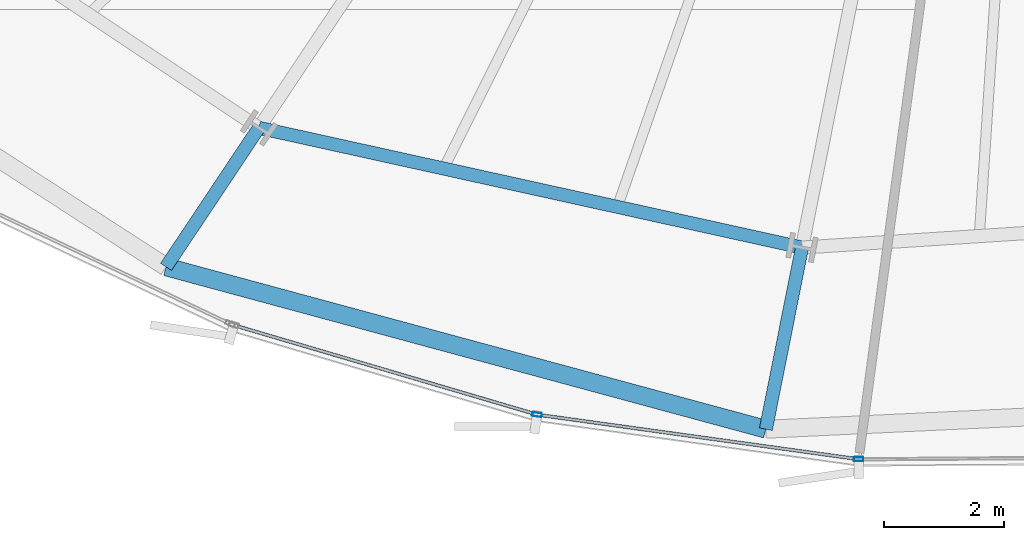
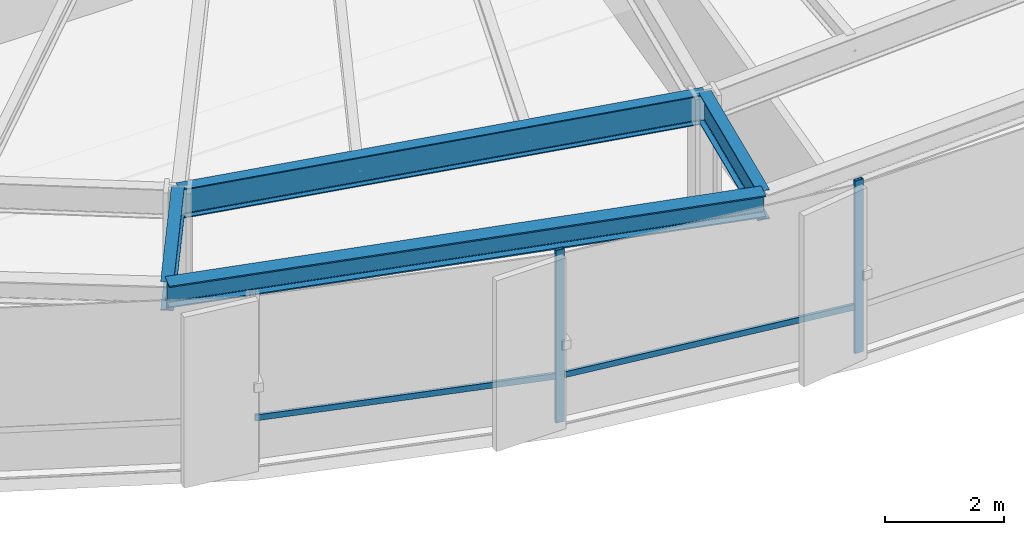
# One storey, part 5 of 37: 4 beams, 4 members, 1 element without a shape of its own.
"""IFC4 building model written with IfcOpenShell, lengths in metres."""

from ifc_helpers import new_model, si_unit, direction, frame, origin, origin_2d, place, context, subcontext, project, spatial, hollow_rectangle, i_section, extrude, source, transform, mapped, material, layer, layer_set, material_profile, profile_set, type_object, element, aggregate, save


model = new_model("IFC4")

# Units and contexts
model_context = context("Model", 3, precision=1e-05, world=origin(), true_north=direction((0.0, 1.0)))
body_context = subcontext(model_context, "Body", "Model", "MODEL_VIEW")
ifc_project = project(units=[si_unit("LENGTHUNIT", "METRE"), si_unit("AREAUNIT", "SQUARE_METRE"), si_unit("VOLUMEUNIT", "CUBIC_METRE"), si_unit("PLANEANGLEUNIT", "RADIAN"), si_unit("MASSUNIT", "GRAM", prefix="KILO"), si_unit("THERMODYNAMICTEMPERATUREUNIT", "KELVIN")], contexts=[model_context])

# Site, building, storey
site_placement = place(None, origin())
site = spatial("IfcSite", under=ifc_project, at=site_placement, CompositionType="ELEMENT")
building_placement = place(site_placement, origin())
building = spatial("IfcBuilding", under=site, at=building_placement, Name="Kethvar Cultural Tower", CompositionType="ELEMENT")
storey_placement = place(building_placement, frame((0.0, 0.0, 48.60009765625)))
storey = spatial("IfcBuildingStorey", under=building, at=storey_placement, Name="L11", CompositionType="ELEMENT", Elevation=48.60009765625)

# Beams
ifc_material_1 = material(Name="Steel S355J2", Category="steel")
ifc_material_profile_1 = material_profile(ifc_material_1, i_section(OverallWidth=0.219970703125, OverallDepth=0.60009765625, WebThickness=0.011962890625, FlangeThickness=0.01904296875, FilletRadius=0.02392578125, at=origin_2d()), Name="Steel S355J2 — IPE600")
ifc_profile_set_1 = profile_set([ifc_material_profile_1], Name="Steel S355J2 — IPE600")
beam_type_1 = type_object("IfcBeamType", Name="BM-IPE600", PredefinedType="BEAM", material=ifc_profile_set_1)
shared_shape_1 = source(origin(), body_context, "Body", "SweptSolid", [
    extrude(i_section(OverallWidth=0.219970703125, OverallDepth=0.60009765625, WebThickness=0.011962890625, FlangeThickness=0.01904296875, FilletRadius=0.02392578125, at=origin_2d()), origin(), (0.0, 0.0, 1.0), 9.299560546875),
])
beam_1_placement = place(storey_placement, frame((33.302001953125, 7.598876953125, 3.247802734375), z_axis=(0.976536034872, -0.21535406334, 0.0), x_axis=(0.21535406334, 0.976536034872, 0.0)))
element("IfcBeam", 1, at=beam_1_placement, inside=storey, type_object=beam_type_1, Name="L11 Column Ring Tie Beam CR-11", PredefinedType="BEAM", context=body_context, shape_type="MappedRepresentation", body=[
    mapped(shared_shape_1, transform((0.0, 0.0, 0.0), scale=1.0)),
])
shared_shape_2 = source(origin(), body_context, "Body", "SweptSolid", [
    extrude(i_section(OverallWidth=0.219970703125, OverallDepth=0.60009765625, WebThickness=0.011962890625, FlangeThickness=0.01904296875, FilletRadius=0.02392578125, at=origin_2d()), origin(), (0.0, 0.0, 1.0), 2.796630859375),
])
beam_2_placement = place(storey_placement, frame((33.302001953125, 7.598876953125, 3.247802734375), z_axis=(-0.555586326757, -0.831458858585, 0.0), x_axis=(0.831458858585, -0.555586326757, 0.0)))
element("IfcBeam", 2, at=beam_2_placement, inside=storey, type_object=beam_type_1, Name="L11 Perimeter Cantilever Beam RC-11", PredefinedType="BEAM", context=body_context, shape_type="MappedRepresentation", body=[
    mapped(shared_shape_2, transform((0.0, 0.0, 0.0), scale=1.0)),
])
shared_shape_3 = source(origin(), body_context, "Body", "SweptSolid", [
    extrude(i_section(OverallWidth=0.219970703125, OverallDepth=0.60009765625, WebThickness=0.011962890625, FlangeThickness=0.01904296875, FilletRadius=0.02392578125, at=origin_2d()), origin(), (0.0, 0.0, 1.0), 3.097412109375),
])
beam_3_placement = place(storey_placement, frame((42.38330078125, 5.59619140625, 3.247802734375), z_axis=(-0.195085273209, -0.98078628466, 0.0), x_axis=(0.98078628466, -0.195085273209, 0.0)))
element("IfcBeam", 3, at=beam_3_placement, inside=storey, type_object=beam_type_1, Name="L11 Perimeter Cantilever Beam RC-12", PredefinedType="BEAM", context=body_context, shape_type="MappedRepresentation", body=[
    mapped(shared_shape_3, transform((0.0, 0.0, 0.0), scale=1.0)),
])
ifc_material_profile_2 = material_profile(ifc_material_1, i_section(OverallWidth=0.300048828125, OverallDepth=0.449951171875, WebThickness=0.013916015625, FlangeThickness=0.02587890625, FilletRadius=0.027099609375, at=origin_2d()), Name="Steel S355J2 — HEB450")
ifc_profile_set_2 = profile_set([ifc_material_profile_2], Name="Steel S355J2 — HEB450")
beam_type_2 = type_object("IfcBeamType", Name="BM-SP450", PredefinedType="SPANDREL", material=ifc_profile_set_2)
shared_shape_4 = source(origin(), body_context, "Body", "SweptSolid", [
    extrude(i_section(OverallWidth=0.300048828125, OverallDepth=0.449951171875, WebThickness=0.013916015625, FlangeThickness=0.02587890625, FilletRadius=0.027099609375, at=origin_2d()), origin(), (0.0, 0.0, 1.0), 10.391845703125),
])
beam_4_placement = place(storey_placement, frame((31.748291015625, 5.273681640625, 3.322998046875), z_axis=(0.965258721686, -0.261296001134, 0.0), x_axis=(0.261296001134, 0.965258721686, 0.0)))
element("IfcBeam", 4, at=beam_4_placement, inside=storey, type_object=beam_type_2, Name="L11 Perimeter Spandrel Beam SP-11", PredefinedType="SPANDREL", context=body_context, shape_type="MappedRepresentation", body=[
    mapped(shared_shape_4, transform((0.0, 0.0, 0.0), scale=1.0)),
])

# Curtain wall, members
ifc_material_2 = material(Name="Aluminium 6063-T6", Category="aluminium")
ifc_layer = layer(ifc_material_2, 0.179931640625, Name="Aluminium 6063-T6", Category="aluminium")
ifc_layer_set = layer_set([ifc_layer], Name="Aluminium 6063-T6 (180 mm)")
curtain_wall_type = type_object("IfcCurtainWallType", Name="CW-SYS-02-Z1", PredefinedType="NOTDEFINED", material=ifc_layer_set)
curtain_wall_placement = place(storey_placement, origin())
curtain_wall = element("IfcCurtainWall", 5, at=curtain_wall_placement, inside=storey, type_object=curtain_wall_type, Name="L11 Curtain Wall Run 05", PredefinedType="NOTDEFINED")
ifc_material_profile_3 = material_profile(ifc_material_2, hollow_rectangle(XDim=0.06494140625, YDim=0.159912109375, WallThickness=0.0048828125, at=origin_2d()), Name="Aluminium 6063-T6 — RHS160x65x5")
ifc_profile_set_3 = profile_set([ifc_material_profile_3], Name="Aluminium 6063-T6 — RHS160x65x5")
member_type_1 = type_object("IfcMemberType", Name="CW-SYS-02-Z1-MUL", PredefinedType="MULLION", material=ifc_profile_set_3)
shared_shape_5 = source(origin(), body_context, "Body", "SweptSolid", [
    extrude(hollow_rectangle(XDim=0.06494140625, YDim=0.159912109375, WallThickness=0.0048828125, at=origin_2d()), origin(), (0.0, 0.0, 1.0), 3.5498046875),
])
member_1_placement = place(storey_placement, frame((37.951416015625, 2.802001953125, 0.0), z_axis=(0.0, 0.0, 1.0), x_axis=(0.13725437934, 0.990535832442, 0.0)))
member_1 = element("IfcMember", 6, at=member_1_placement, type_object=member_type_1, Name="CW-L11-R05 Mullion 2", PredefinedType="MULLION", context=body_context, shape_type="MappedRepresentation", body=[
    mapped(shared_shape_5, transform((0.0, 0.0, 0.0), scale=1.0)),
])
member_2_placement = place(storey_placement, frame((43.330322265625, 2.055419921875, 0.0), z_axis=(0.0, 0.0, 1.0), x_axis=(-0.006946354559, 0.999975873788, 0.0)))
member_2 = element("IfcMember", 7, at=member_2_placement, type_object=member_type_1, Name="CW-L11-R05 Mullion 3", PredefinedType="MULLION", context=body_context, shape_type="MappedRepresentation", body=[
    mapped(shared_shape_5, transform((0.0, 0.0, 0.0), scale=1.0)),
])
ifc_material_profile_4 = material_profile(ifc_material_2, hollow_rectangle(XDim=0.054931640625, YDim=0.1201171875, WallThickness=0.00390625, at=origin_2d()), Name="Aluminium 6063-T6 — RHS120x55x4")
ifc_profile_set_4 = profile_set([ifc_material_profile_4], Name="Aluminium 6063-T6 — RHS120x55x4")
member_type_2 = type_object("IfcMemberType", Name="CW-SYS-02-Z1-TRN", PredefinedType="USERDEFINED", material=ifc_profile_set_4)
shared_shape_6 = source(origin(), body_context, "Body", "SweptSolid", [
    extrude(hollow_rectangle(XDim=0.054931640625, YDim=0.1201171875, WallThickness=0.00390625, at=origin_2d()), origin(), (0.0, 0.0, 1.0), 5.354248046875),
])
member_3_placement = place(storey_placement, frame((37.997802734375, 2.795654296875, 0.949951171875), z_axis=(0.990536233155, -0.137251487446, 0.0), x_axis=(0.137251487446, 0.990536233155, 0.0)))
member_3 = element("IfcMember", 8, at=member_3_placement, type_object=member_type_2, Name="CW-L11-R05 Transom 2", ObjectType="TRANSOM", PredefinedType="USERDEFINED", context=body_context, shape_type="MappedRepresentation", body=[
    mapped(shared_shape_6, transform((0.0, 0.0, 0.0), scale=1.0)),
])
shared_shape_7 = source(origin(), body_context, "Body", "SweptSolid", [
    extrude(hollow_rectangle(XDim=0.054931640625, YDim=0.1201171875, WallThickness=0.00390625, at=origin_2d()), origin(), (0.0, 0.0, 1.0), 5.2509765625),
])
member_4_placement = place(storey_placement, frame((32.886962890625, 4.2958984375, 0.949951171875), z_axis=(0.95921359163, -0.282682305129, 0.0), x_axis=(0.282682305129, 0.95921359163, 0.0)))
member_4 = element("IfcMember", 9, at=member_4_placement, type_object=member_type_2, Name="CW-L11-R05 Transom 1", ObjectType="TRANSOM", PredefinedType="USERDEFINED", context=body_context, shape_type="MappedRepresentation", body=[
    mapped(shared_shape_7, transform((0.0, 0.0, 0.0), scale=1.0)),
])
aggregate(curtain_wall, [member_1, member_2, member_4, member_3])

save(model, "model.ifc")
